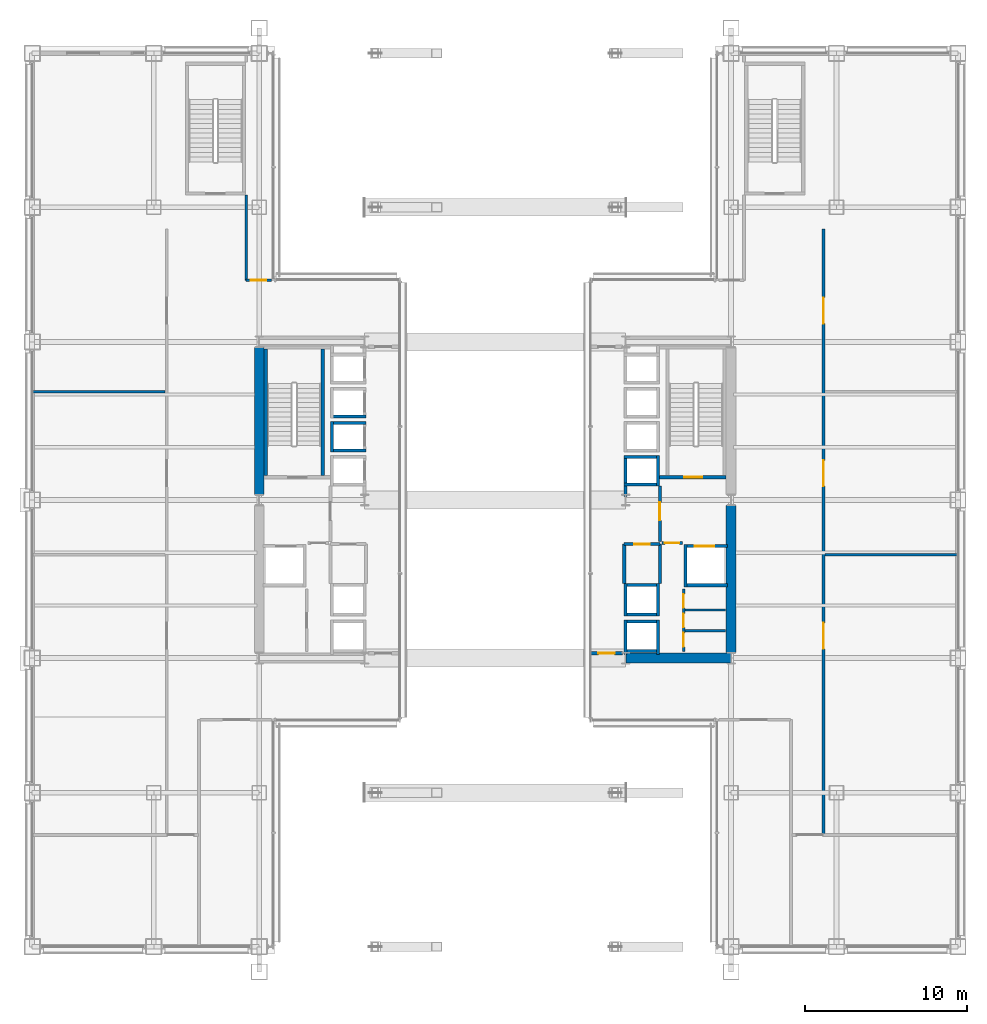
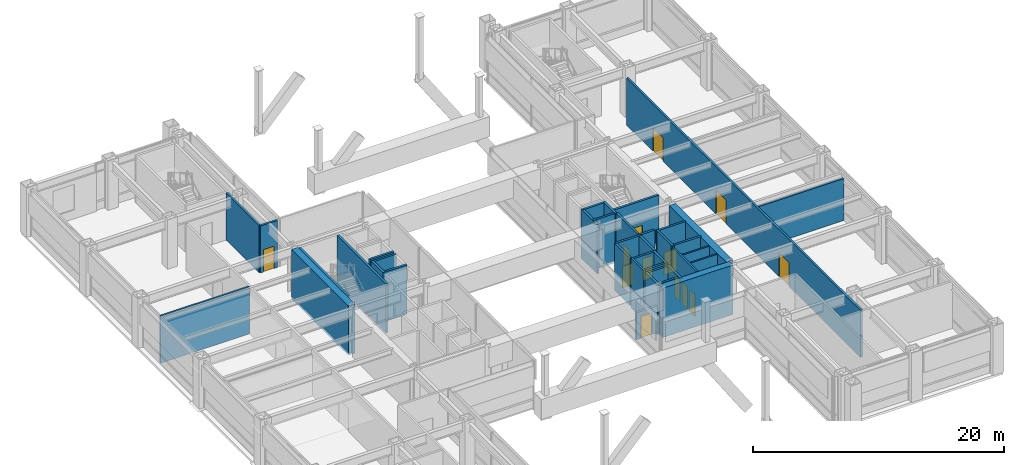
# One storey, part 38 of 42: 39 walls, 13 doors, 13 openings.
"""IFC4 building model written with IfcOpenShell, lengths in metres."""

from ifc_helpers import new_model, si_unit, direction, frame, frame_2d, origin, place, context, subcontext, project, spatial, rectangle, extrude, material, layer, layer_set, type_object, element, fill, save


model = new_model("IFC4")

# Units and contexts
model_context = context("Model", 3, precision=1e-05, world=origin(), true_north=direction((0.0, 1.0)))
body_context = subcontext(model_context, "Body", "Model", "MODEL_VIEW")
ifc_project = project(units=[si_unit("LENGTHUNIT", "METRE"), si_unit("AREAUNIT", "SQUARE_METRE"), si_unit("VOLUMEUNIT", "CUBIC_METRE"), si_unit("PLANEANGLEUNIT", "RADIAN"), si_unit("MASSUNIT", "GRAM", prefix="KILO")], contexts=[model_context])

# Site, building, storey
site_placement = place(None, origin())
site = spatial("IfcSite", under=ifc_project, at=site_placement, CompositionType="ELEMENT")
building_placement = place(site_placement, origin())
building = spatial("IfcBuilding", under=site, at=building_placement, Name="Brelmoor Portico Tower", CompositionType="ELEMENT")
storey_placement = place(building_placement, frame((0.0, 0.0, 9.60009765625)))
storey = spatial("IfcBuildingStorey", under=building, at=storey_placement, Name="L02", CompositionType="ELEMENT", Elevation=9.60009765625)

# Walls
ifc_material_1 = material(Name="Concrete C60", Category="concrete")
ifc_layer_1 = layer(ifc_material_1, 0.60009765625)
ifc_layer_set_1 = layer_set([ifc_layer_1], Name="Concrete C60")
wall_type_1 = type_object("IfcWallType", Name="WL-CORE-600", PredefinedType="SHEAR", material=ifc_layer_set_1)
wall_1_placement = place(storey_placement, frame((-14.550048828125, 0.35009765625, -0.22021484375), z_axis=(0.0, 0.0, 1.0), x_axis=(0.0, 1.0, 0.0)))
element("IfcWall", 1, at=wall_1_placement, inside=storey, type_object=wall_type_1, Name="L02 WC Outer North Shear Wall", PredefinedType="SHEAR", context=body_context, shape_type="SweptSolid", body=[
    extrude(rectangle(XDim=9.0498046875, YDim=0.60009765625, at=frame_2d((4.52490234375, 0.0))), origin(), (0.0, 0.0, 1.0), 4.800048828125),
])
wall_2_placement = place(storey_placement, frame((8.070068359375, -9.75, -0.22021484375), z_axis=(0.0, 0.0, 1.0), x_axis=(1.0, 0.0, 0.0)))
element("IfcWall", 2, at=wall_2_placement, inside=storey, type_object=wall_type_1, Name="L02 EC South Shear Wall", PredefinedType="SHEAR", context=body_context, shape_type="SweptSolid", body=[
    extrude(rectangle(XDim=6.4599609375, YDim=0.60009765625, at=frame_2d((3.22998046875, 0.0))), origin(), (0.0, 0.0, 1.0), 4.800048828125),
])
wall_3_placement = place(storey_placement, frame((14.550048828125, -9.39990234375, -0.22021484375), z_axis=(0.0, 0.0, 1.0), x_axis=(0.0, 1.0, 0.0)))
element("IfcWall", 3, at=wall_3_placement, inside=storey, type_object=wall_type_1, Name="L02 EC Outer South Shear Wall", PredefinedType="SHEAR", context=body_context, shape_type="SweptSolid", body=[
    extrude(rectangle(XDim=9.0498046875, YDim=0.60009765625, at=frame_2d((4.52490234375, 0.0))), origin(), (0.0, 0.0, 1.0), 4.800048828125),
])
ifc_material_2 = material(Name="Insulated Stud Suite Partition", Category="gypsum")
ifc_layer_2 = layer(ifc_material_2, 0.139892578125)
ifc_layer_set_2 = layer_set([ifc_layer_2], Name="Insulated Stud Suite Partition")
wall_type_2 = type_object("IfcWallType", Name="WL-PART-140", PredefinedType="PARTITIONING", material=ifc_layer_set_2)
for number, where, z_axis, x_axis, name in (
    (4, (11.699951171875, -8.066650390625, 0.0), (0.0, 0.0, 1.0), (1.0, 0.0, 0.0), "L02 E Core WC Divider 1"),
    (5, (11.699951171875, -6.783203125, 0.0), (0.0, 0.0, 1.0), (1.0, 0.0, 0.0), "L02 E Core WC Divider 2"),
):
    element("IfcWall", number, at=place(storey_placement, frame(where, z_axis=z_axis, x_axis=x_axis)), inside=storey, type_object=wall_type_2, Name=name, PredefinedType="PARTITIONING", context=body_context, shape_type="SweptSolid", body=[
        extrude(rectangle(XDim=2.5, YDim=0.139892578125, at=frame_2d((1.25, 0.0))), origin(), (0.0, 0.0, 1.0), 4.579833984375),
    ])

# Wall, openings, doors
ifc_material_3 = material(Name="Twin-Frame Acoustic Partition", Category="gypsum")
ifc_layer_3 = layer(ifc_material_3, 0.159912109375)
ifc_layer_set_3 = layer_set([ifc_layer_3], Name="Twin-Frame Acoustic Partition")
wall_type_3 = type_object("IfcWallType", Name="WL-PART-160", PredefinedType="PARTITIONING", material=ifc_layer_set_3)
wall_4_placement = place(storey_placement, frame((11.6201171875, -9.35009765625, 0.0), z_axis=(0.0, 0.0, 1.0), x_axis=(0.0, 1.0, 0.0)))
wall_4 = element("IfcWall", 6, at=wall_4_placement, inside=storey, type_object=wall_type_3, Name="L02 E Core Service Front Wall", PredefinedType="PARTITIONING", context=body_context, shape_type="SweptSolid", body=[
    extrude(rectangle(XDim=3.85009765625, YDim=0.159912109375, at=frame_2d((1.925048828125, 0.0))), origin(), (0.0, 0.0, 1.0), 4.579833984375),
])
opening_1_placement = place(wall_4_placement, frame((0.300048828125, 0.0, 0.0)))
opening_1 = element("IfcOpeningElement", 7, at=opening_1_placement, cuts=wall_4, Name="Opening D-WC1", PredefinedType="OPENING", context=body_context, shape_type="SweptSolid", body=[
    extrude(rectangle(XDim=0.85009765625, YDim=2.1201171875, at=frame_2d((0.425048828125, 1.06005859375))), frame((0.0, 0.08984375, 0.0), z_axis=(0.0, -1.0, 0.0), x_axis=(1.0, 0.0, 0.0)), (0.0, 0.0, 1.0), 0.179931640625),
])
opening_2_placement = place(wall_4_placement, frame((1.5, 0.0, 0.0)))
opening_2 = element("IfcOpeningElement", 8, at=opening_2_placement, cuts=wall_4, Name="Opening D-WC1", PredefinedType="OPENING", context=body_context, shape_type="SweptSolid", body=[
    extrude(rectangle(XDim=0.85009765625, YDim=2.1201171875, at=frame_2d((0.425048828125, 1.06005859375))), frame((0.0, 0.08984375, 0.0), z_axis=(0.0, -1.0, 0.0), x_axis=(1.0, 0.0, 0.0)), (0.0, 0.0, 1.0), 0.179931640625),
])
opening_3_placement = place(wall_4_placement, frame((2.699951171875, 0.0, 0.0)))
opening_3 = element("IfcOpeningElement", 9, at=opening_3_placement, cuts=wall_4, Name="Opening D-WC1", PredefinedType="OPENING", context=body_context, shape_type="SweptSolid", body=[
    extrude(rectangle(XDim=0.85009765625, YDim=2.1201171875, at=frame_2d((0.425048828125, 1.06005859375))), frame((0.0, 0.08984375, 0.0), z_axis=(0.0, -1.0, 0.0), x_axis=(1.0, 0.0, 0.0)), (0.0, 0.0, 1.0), 0.179931640625),
])
ifc_material_4 = material(Name="Moisture-Resistant Laminate WC Door", Category="timber")
door_type_1 = type_object("IfcDoorType", Name="DR-WC-850", OperationType="NOTDEFINED", PredefinedType="DOOR", material=ifc_material_4)
door_1_placement = place(opening_1_placement, origin())
door_1 = element("IfcDoor", 10, at=door_1_placement, inside=storey, type_object=door_type_1, Name="D-0130 L02 E Male WC Door", OperationType="SINGLE_SWING_RIGHT", OverallHeight=2.1201171875, OverallWidth=0.85009765625, PredefinedType="DOOR", context=body_context, shape_type="SweptSolid", body=[
    extrude(rectangle(XDim=0.85009765625, YDim=2.1201171875, at=frame_2d((0.425048828125, 1.06005859375))), frame((0.0, 0.02490234375, 0.0), z_axis=(0.0, -1.0, 0.0), x_axis=(1.0, 0.0, 0.0)), (0.0, 0.0, 1.0), 0.050048828125),
])
fill(opening_1, door_1)
door_2_placement = place(opening_2_placement, origin())
door_2 = element("IfcDoor", 11, at=door_2_placement, inside=storey, type_object=door_type_1, Name="D-0131 L02 E Female WC Door", OperationType="SINGLE_SWING_LEFT", OverallHeight=2.1201171875, OverallWidth=0.85009765625, PredefinedType="DOOR", context=body_context, shape_type="SweptSolid", body=[
    extrude(rectangle(XDim=0.85009765625, YDim=2.1201171875, at=frame_2d((0.425048828125, 1.06005859375))), frame((0.0, 0.02490234375, 0.0), z_axis=(0.0, -1.0, 0.0), x_axis=(1.0, 0.0, 0.0)), (0.0, 0.0, 1.0), 0.050048828125),
])
fill(opening_2, door_2)
door_3_placement = place(opening_3_placement, origin())
door_3 = element("IfcDoor", 12, at=door_3_placement, inside=storey, type_object=door_type_1, Name="D-0132 L02 E Janitor Store Door", OperationType="SINGLE_SWING_RIGHT", OverallHeight=2.1201171875, OverallWidth=0.85009765625, PredefinedType="DOOR", context=body_context, shape_type="SweptSolid", body=[
    extrude(rectangle(XDim=0.85009765625, YDim=2.1201171875, at=frame_2d((0.425048828125, 1.06005859375))), frame((0.0, 0.02490234375, 0.0), z_axis=(0.0, -1.0, 0.0), x_axis=(1.0, 0.0, 0.0)), (0.0, 0.0, 1.0), 0.050048828125),
])
fill(opening_3, door_3)

# Walls
wall_5_placement = place(storey_placement, frame((-20.35009765625, 6.666748046875, 0.0), z_axis=(0.0, 0.0, 1.0), x_axis=(-1.0, 0.0, 0.0)))
element("IfcWall", 13, at=wall_5_placement, inside=storey, type_object=wall_type_3, Name="L02 W Wing Divider 2", PredefinedType="PARTITIONING", context=body_context, shape_type="SweptSolid", body=[
    extrude(rectangle(XDim=8.169921875, YDim=0.159912109375, at=frame_2d((4.0849609375, 0.0))), origin(), (0.0, 0.0, 1.0), 4.579833984375),
])
wall_6_placement = place(storey_placement, frame((20.35009765625, -3.36669921875, 0.0), z_axis=(0.0, 0.0, 1.0), x_axis=(1.0, 0.0, 0.0)))
element("IfcWall", 14, at=wall_6_placement, inside=storey, type_object=wall_type_3, Name="L02 E Wing Divider 1", PredefinedType="PARTITIONING", context=body_context, shape_type="SweptSolid", body=[
    extrude(rectangle(XDim=8.169921875, YDim=0.159912109375, at=frame_2d((4.0849609375, 0.0))), origin(), (0.0, 0.0, 1.0), 4.079833984375),
])

# Wall, opening, door
ifc_material_5 = material(Name="Acoustic Corridor Fire Partition", Category="gypsum")
ifc_layer_4 = layer(ifc_material_5, 0.179931640625)
ifc_layer_set_4 = layer_set([ifc_layer_4], Name="Acoustic Corridor Fire Partition")
wall_type_4 = type_object("IfcWallType", Name="WL-PART-180", PredefinedType="PARTITIONING", material=ifc_layer_set_4)
wall_7_placement = place(storey_placement, frame((-13.800048828125, 13.550048828125, 0.0), z_axis=(0.0, 0.0, 1.0), x_axis=(-1.0, 0.0, 0.0)))
wall_7 = element("IfcWall", 15, at=wall_7_placement, inside=storey, type_object=wall_type_4, Name="L02 W North Reception Wall", PredefinedType="PARTITIONING", context=body_context, shape_type="SweptSolid", body=[
    extrude(rectangle(XDim=1.550048828125, YDim=0.179931640625, at=frame_2d((0.77490234375, 0.0))), origin(), (0.0, 0.0, 1.0), 4.579833984375),
])
opening_4_placement = place(wall_7_placement, frame((0.300048828125, 0.0, 0.0)))
opening_4 = element("IfcOpeningElement", 16, at=opening_4_placement, cuts=wall_7, Name="Opening D-IN2", PredefinedType="OPENING", context=body_context, shape_type="SweptSolid", body=[
    extrude(rectangle(XDim=0.9599609375, YDim=2.179931640625, at=frame_2d((0.47998046875, 1.08984375))), frame((0.0, 0.099853515625, 0.0), z_axis=(0.0, -1.0, 0.0), x_axis=(1.0, 0.0, 0.0)), (0.0, 0.0, 1.0), 0.199951171875),
])
ifc_material_6 = material(Name="Lacquered Timber Suite Door", Category="wood")
door_type_2 = type_object("IfcDoorType", Name="DR-INT-950", OperationType="NOTDEFINED", PredefinedType="DOOR", material=ifc_material_6)
door_4_placement = place(opening_4_placement, origin())
door_4 = element("IfcDoor", 17, at=door_4_placement, inside=storey, type_object=door_type_2, Name="D-0145 L02 W North Reception Foyer Door", OperationType="SINGLE_SWING_LEFT", OverallHeight=2.179931640625, OverallWidth=0.9599609375, PredefinedType="DOOR", context=body_context, shape_type="SweptSolid", body=[
    extrude(rectangle(XDim=0.9599609375, YDim=2.179931640625, at=frame_2d((0.47998046875, 1.08984375))), frame((0.0, 0.02490234375, 0.0), z_axis=(0.0, -1.0, 0.0), x_axis=(1.0, 0.0, 0.0)), (0.0, 0.0, 1.0), 0.050048828125),
])
fill(opening_4, door_4)

# Wall
wall_8_placement = place(storey_placement, frame((-15.35009765625, 13.550048828125, 0.0), z_axis=(0.0, 0.0, 1.0), x_axis=(0.0, 1.0, 0.0)))
element("IfcWall", 18, at=wall_8_placement, inside=storey, type_object=wall_type_4, Name="L02 W North Reception Outer Wall", PredefinedType="PARTITIONING", context=body_context, shape_type="SweptSolid", body=[
    extrude(rectangle(XDim=5.25, YDim=0.179931640625, at=frame_2d((2.625, 0.0))), origin(), (0.0, 0.0, 1.0), 4.579833984375),
])

# Wall, openings, doors
wall_9_placement = place(storey_placement, frame((20.25, -20.60009765625, 0.0), z_axis=(0.0, 0.0, 1.0), x_axis=(0.0, 1.0, 0.0)))
wall_9 = element("IfcWall", 19, at=wall_9_placement, inside=storey, type_object=wall_type_4, Name="L02 E Wing Concourse Wall", PredefinedType="PARTITIONING", context=body_context, shape_type="SweptSolid", body=[
    extrude(rectangle(XDim=37.300048828125, YDim=0.179931640625, at=frame_2d((18.64990234375, 0.0))), origin(), (0.0, 0.0, 1.0), 4.579833984375),
])
opening_5_placement = place(wall_9_placement, frame((11.416748046875, 0.0, 0.0)))
opening_5 = element("IfcOpeningElement", 20, at=opening_5_placement, cuts=wall_9, Name="Opening D-PB1", PredefinedType="OPENING", context=body_context, shape_type="SweptSolid", body=[
    extrude(rectangle(XDim=1.60009765625, YDim=2.300048828125, at=frame_2d((0.800048828125, 1.14990234375))), frame((0.0, 0.099853515625, 0.0), z_axis=(0.0, -1.0, 0.0), x_axis=(1.0, 0.0, 0.0)), (0.0, 0.0, 1.0), 0.199951171875),
])
opening_6_placement = place(wall_9_placement, frame((21.449951171875, 0.0, 0.0)))
opening_6 = element("IfcOpeningElement", 21, at=opening_6_placement, cuts=wall_9, Name="Opening D-PB1", PredefinedType="OPENING", context=body_context, shape_type="SweptSolid", body=[
    extrude(rectangle(XDim=1.60009765625, YDim=2.300048828125, at=frame_2d((0.800048828125, 1.14990234375))), frame((0.0, 0.099853515625, 0.0), z_axis=(0.0, -1.0, 0.0), x_axis=(1.0, 0.0, 0.0)), (0.0, 0.0, 1.0), 0.199951171875),
])
opening_7_placement = place(wall_9_placement, frame((31.4833984375, 0.0, 0.0)))
opening_7 = element("IfcOpeningElement", 22, at=opening_7_placement, cuts=wall_9, Name="Opening D-PB1", PredefinedType="OPENING", context=body_context, shape_type="SweptSolid", body=[
    extrude(rectangle(XDim=1.60009765625, YDim=2.300048828125, at=frame_2d((0.800048828125, 1.14990234375))), frame((0.0, 0.099853515625, 0.0), z_axis=(0.0, -1.0, 0.0), x_axis=(1.0, 0.0, 0.0)), (0.0, 0.0, 1.0), 0.199951171875),
])
ifc_material_7 = material(Name="Double-Leaf Anodised Aluminium Hall Door", Category="aluminium")
door_type_3 = type_object("IfcDoorType", Name="DR-PUBLIC-1600", OperationType="NOTDEFINED", PredefinedType="DOOR", material=ifc_material_7)
door_5_placement = place(opening_5_placement, origin())
door_5 = element("IfcDoor", 23, at=door_5_placement, inside=storey, type_object=door_type_3, Name="D-0150 L02 E Portico Design Studio Door", OperationType="DOUBLE_DOOR_SINGLE_SWING", OverallHeight=2.300048828125, OverallWidth=1.60009765625, PredefinedType="DOOR", context=body_context, shape_type="SweptSolid", body=[
    extrude(rectangle(XDim=1.60009765625, YDim=2.300048828125, at=frame_2d((0.800048828125, 1.14990234375))), frame((0.0, 0.02490234375, 0.0), z_axis=(0.0, -1.0, 0.0), x_axis=(1.0, 0.0, 0.0)), (0.0, 0.0, 1.0), 0.050048828125),
])
fill(opening_5, door_5)
door_6_placement = place(opening_6_placement, origin())
door_6 = element("IfcDoor", 24, at=door_6_placement, inside=storey, type_object=door_type_3, Name="D-0151 L02 E Artisan Cafe and Bakery Door", OperationType="DOUBLE_DOOR_SINGLE_SWING", OverallHeight=2.300048828125, OverallWidth=1.60009765625, PredefinedType="DOOR", context=body_context, shape_type="SweptSolid", body=[
    extrude(rectangle(XDim=1.60009765625, YDim=2.300048828125, at=frame_2d((0.800048828125, 1.14990234375))), frame((0.0, 0.02490234375, 0.0), z_axis=(0.0, -1.0, 0.0), x_axis=(1.0, 0.0, 0.0)), (0.0, 0.0, 1.0), 0.050048828125),
])
fill(opening_6, door_6)
door_7_placement = place(opening_7_placement, origin())
door_7 = element("IfcDoor", 25, at=door_7_placement, inside=storey, type_object=door_type_3, Name="D-0152 L02 E Architectural Archive Office Door", OperationType="DOUBLE_DOOR_SINGLE_SWING", OverallHeight=2.300048828125, OverallWidth=1.60009765625, PredefinedType="DOOR", context=body_context, shape_type="SweptSolid", body=[
    extrude(rectangle(XDim=1.60009765625, YDim=2.300048828125, at=frame_2d((0.800048828125, 1.14990234375))), frame((0.0, 0.02490234375, 0.0), z_axis=(0.0, -1.0, 0.0), x_axis=(1.0, 0.0, 0.0)), (0.0, 0.0, 1.0), 0.050048828125),
])
fill(opening_7, door_7)

# Wall, opening, door
ifc_material_8 = material(Name="Double-Stud Gypsum Fire Partition", Category="gypsum")
ifc_layer_5 = layer(ifc_material_8, 0.199951171875)
ifc_layer_set_5 = layer_set([ifc_layer_5], Name="Double-Stud Gypsum Fire Partition")
wall_type_5 = type_object("IfcWallType", Name="WL-PART-200", PredefinedType="PARTITIONING", material=ifc_layer_set_5)
wall_10_placement = place(storey_placement, frame((10.159912109375, -2.550048828125, 0.0), z_axis=(0.0, 0.0, 1.0), x_axis=(0.0, 1.0, 0.0)))
wall_10 = element("IfcWall", 26, at=wall_10_placement, inside=storey, type_object=wall_type_5, Name="L02 E Firefighting Lobby Wall", PredefinedType="PARTITIONING", context=body_context, shape_type="SweptSolid", body=[
    extrude(rectangle(XDim=3.400146484375, YDim=0.199951171875, at=frame_2d((1.7001953125, 0.0))), origin(), (0.0, 0.0, 1.0), 4.579833984375),
])
opening_8_placement = place(wall_10_placement, frame((1.300048828125, 0.0, 0.0)))
opening_8 = element("IfcOpeningElement", 27, at=opening_8_placement, cuts=wall_10, Name="Opening D-FR1", PredefinedType="OPENING", context=body_context, shape_type="SweptSolid", body=[
    extrude(rectangle(XDim=1.10009765625, YDim=2.14990234375, at=frame_2d((0.550048828125, 1.074951171875))), frame((0.0, 0.10986328125, 0.0), z_axis=(0.0, -1.0, 0.0), x_axis=(1.0, 0.0, 0.0)), (0.0, 0.0, 1.0), 0.219970703125),
])
ifc_material_9 = material(Name="Painted Galvanised Steel Fire Door", Category="steel")
door_type_4 = type_object("IfcDoorType", Name="DR-FIRE-1100", OperationType="NOTDEFINED", PredefinedType="DOOR", material=ifc_material_9)
door_8_placement = place(opening_8_placement, origin())
door_8 = element("IfcDoor", 28, at=door_8_placement, inside=storey, type_object=door_type_4, Name="D-0138 L02 E Firefighting Lobby Door", OperationType="SINGLE_SWING_LEFT", OverallHeight=2.14990234375, OverallWidth=1.10009765625, PredefinedType="DOOR", context=body_context, shape_type="SweptSolid", body=[
    extrude(rectangle(XDim=1.10009765625, YDim=2.14990234375, at=frame_2d((0.550048828125, 1.074951171875))), frame((0.0, 0.02490234375, 0.0), z_axis=(0.0, -1.0, 0.0), x_axis=(1.0, 0.0, 0.0)), (0.0, 0.0, 1.0), 0.050048828125),
])
fill(opening_8, door_8)

wall_11_placement = place(storey_placement, frame((10.280029296875, -2.64990234375, 0.0), z_axis=(0.0, 0.0, 1.0), x_axis=(1.0, 0.0, 0.0)))
wall_11 = element("IfcWall", 29, at=wall_11_placement, inside=storey, type_object=wall_type_5, Name="L02 E Firefighting Lobby South Wall", PredefinedType="PARTITIONING", context=body_context, shape_type="SweptSolid", body=[
    extrude(rectangle(XDim=1.27001953125, YDim=0.199951171875, at=frame_2d((0.635009765625, 0.0))), origin(), (0.0, 0.0, 1.0), 4.579833984375),
])
opening_9_placement = place(wall_11_placement, frame((0.18505859375, 0.0, 0.0)))
opening_9 = element("IfcOpeningElement", 30, at=opening_9_placement, cuts=wall_11, Name="Opening D-IN1", PredefinedType="OPENING", context=body_context, shape_type="SweptSolid", body=[
    extrude(rectangle(XDim=0.89990234375, YDim=2.14990234375, at=frame_2d((0.449951171875, 1.074951171875))), frame((0.0, 0.10986328125, 0.0), z_axis=(0.0, -1.0, 0.0), x_axis=(1.0, 0.0, 0.0)), (0.0, 0.0, 1.0), 0.219970703125),
])
door_type_5 = type_object("IfcDoorType", Name="DR-INT-900", OperationType="NOTDEFINED", PredefinedType="DOOR", material=ifc_material_6)
door_9_placement = place(opening_9_placement, origin())
door_9 = element("IfcDoor", 31, at=door_9_placement, inside=storey, type_object=door_type_5, Name="D-0133 L02 E Core Service Vestibule Door", OperationType="SINGLE_SWING_RIGHT", OverallHeight=2.14990234375, OverallWidth=0.89990234375, PredefinedType="DOOR", context=body_context, shape_type="SweptSolid", body=[
    extrude(rectangle(XDim=0.89990234375, YDim=2.14990234375, at=frame_2d((0.449951171875, 1.074951171875))), frame((0.0, 0.02490234375, 0.0), z_axis=(0.0, -1.0, 0.0), x_axis=(1.0, 0.0, 0.0)), (0.0, 0.0, 1.0), 0.050048828125),
])
fill(opening_9, door_9)

wall_12_placement = place(storey_placement, frame((7.9599609375, -2.719970703125, 0.0), z_axis=(0.0, 0.0, 1.0), x_axis=(1.0, 0.0, 0.0)))
wall_12 = element("IfcWall", 32, at=wall_12_placement, inside=storey, type_object=wall_type_5, Name="L02 E Electrical Switchgear Closet Wall", PredefinedType="PARTITIONING", context=body_context, shape_type="SweptSolid", body=[
    extrude(rectangle(XDim=2.199951171875, YDim=0.199951171875, at=frame_2d((1.10009765625, 0.0))), origin(), (0.0, 0.0, 1.0), 4.579833984375),
])
opening_10_placement = place(wall_12_placement, frame((0.6201171875, 0.0, 0.0)))
opening_10 = element("IfcOpeningElement", 33, at=opening_10_placement, cuts=wall_12, Name="Opening D-FR4", PredefinedType="OPENING", context=body_context, shape_type="SweptSolid", body=[
    extrude(rectangle(XDim=0.949951171875, YDim=2.10009765625, at=frame_2d((0.47509765625, 1.050048828125))), frame((0.0, 0.10986328125, 0.0), z_axis=(0.0, -1.0, 0.0), x_axis=(1.0, 0.0, 0.0)), (0.0, 0.0, 1.0), 0.219970703125),
])
ifc_material_10 = material(Name="Painted Galvanised Steel Riser Door", Category="steel")
door_type_6 = type_object("IfcDoorType", Name="DR-FIRE-950", OperationType="NOTDEFINED", PredefinedType="DOOR", material=ifc_material_10)
door_10_placement = place(opening_10_placement, origin())
door_10 = element("IfcDoor", 34, at=door_10_placement, inside=storey, type_object=door_type_6, Name="D-0136 L02 E Electrical Switchgear Closet Door", OperationType="SINGLE_SWING_LEFT", OverallHeight=2.10009765625, OverallWidth=0.949951171875, PredefinedType="DOOR", context=body_context, shape_type="SweptSolid", body=[
    extrude(rectangle(XDim=0.949951171875, YDim=2.10009765625, at=frame_2d((0.47509765625, 1.050048828125))), frame((0.0, 0.02490234375, 0.0), z_axis=(0.0, -1.0, 0.0), x_axis=(1.0, 0.0, 0.0)), (0.0, 0.0, 1.0), 0.050048828125),
])
fill(opening_10, door_10)

# Walls
for number, where, z_axis, x_axis, name in (
    (35, (7.9599609375, -5.159912109375, 0.0), (0.0, 0.0, 1.0), (0.0, 1.0, 0.0), "L02 E Electrical Switchgear Closet Inner Wall"),
    (36, (10.159912109375, -5.159912109375, 0.0), (0.0, 0.0, 1.0), (0.0, 1.0, 0.0), "L02 E Electrical Switchgear Closet Outer Wall"),
):
    element("IfcWall", number, at=place(storey_placement, frame(where, z_axis=z_axis, x_axis=x_axis)), inside=storey, type_object=wall_type_5, Name=name, PredefinedType="PARTITIONING", context=body_context, shape_type="SweptSolid", body=[
        extrude(rectangle(XDim=2.43994140625, YDim=0.199951171875, at=frame_2d((1.219970703125, 0.0))), origin(), (0.0, 0.0, 1.0), 4.579833984375),
    ])

# Wall, opening, door
wall_13_placement = place(storey_placement, frame((5.919921875, -9.449951171875, 0.0), z_axis=(0.0, 0.0, 1.0), x_axis=(1.0, 0.0, 0.0)))
wall_13 = element("IfcWall", 37, at=wall_13_placement, inside=storey, type_object=wall_type_5, Name="L02 E Pier Lift Lobby South Wall", PredefinedType="PARTITIONING", context=body_context, shape_type="SweptSolid", body=[
    extrude(rectangle(XDim=1.93017578125, YDim=0.199951171875, at=frame_2d((0.965087890625, 0.0))), origin(), (0.0, 0.0, 1.0), 2.6298828125),
])
opening_11_placement = place(wall_13_placement, frame((0.449951171875, 0.0, 0.0)))
opening_11 = element("IfcOpeningElement", 38, at=opening_11_placement, cuts=wall_13, Name="Opening D-FR2", PredefinedType="OPENING", context=body_context, shape_type="SweptSolid", body=[
    extrude(rectangle(XDim=1.0, YDim=2.14990234375, at=frame_2d((0.5, 1.074951171875))), frame((0.0, 0.10986328125, 0.0), z_axis=(0.0, -1.0, 0.0), x_axis=(1.0, 0.0, 0.0)), (0.0, 0.0, 1.0), 0.219970703125),
])
door_type_7 = type_object("IfcDoorType", Name="DR-FIRE-1000", OperationType="NOTDEFINED", PredefinedType="DOOR", material=ifc_material_9)
door_11_placement = place(opening_11_placement, origin())
door_11 = element("IfcDoor", 39, at=door_11_placement, inside=storey, type_object=door_type_7, Name="D-0142 L02 E Pier Lift Lobby South Door", OperationType="SINGLE_SWING_LEFT", OverallHeight=2.14990234375, OverallWidth=1.0, PredefinedType="DOOR", context=body_context, shape_type="SweptSolid", body=[
    extrude(rectangle(XDim=1.0, YDim=2.14990234375, at=frame_2d((0.5, 1.074951171875))), frame((0.0, 0.02490234375, 0.0), z_axis=(0.0, -1.0, 0.0), x_axis=(1.0, 0.0, 0.0)), (0.0, 0.0, 1.0), 0.050048828125),
])
fill(opening_11, door_11)

# Walls
ifc_material_11 = material(Name="Precast Concrete C40", Category="concrete")
ifc_layer_6 = layer(ifc_material_11, 0.18994140625)
ifc_layer_set_6 = layer_set([ifc_layer_6], Name="Precast Concrete C40")
wall_type_6 = type_object("IfcWallType", Name="WL-SHAFT-180", PredefinedType="SOLIDWALL", material=ifc_layer_set_6)
wall_14_placement = place(storey_placement, frame((-10.054931640625, 2.949951171875, -0.22021484375), z_axis=(0.0, 0.0, 1.0), x_axis=(0.0, 1.0, 0.0)))
element("IfcWall", 40, at=wall_14_placement, inside=storey, type_object=wall_type_6, Name="L02 Lift PL2 Hoistway Back Wall", PredefinedType="SOLIDWALL", context=body_context, shape_type="SweptSolid", body=[
    extrude(rectangle(XDim=1.900146484375, YDim=0.18994140625, at=frame_2d((0.9501953125, 0.0))), origin(), (0.0, 0.0, 1.0), 4.800048828125),
])
for number, where, z_axis, x_axis, name in (
    (41, (-10.14990234375, 4.7548828125, -0.22021484375), (0.0, 0.0, 1.0), (1.0, 0.0, 0.0), "L02 Lift PL2 Hoistway North Wall"),
    (42, (-10.14990234375, 3.044921875, -0.22021484375), (0.0, 0.0, 1.0), (1.0, 0.0, 0.0), "L02 Lift PL2 Hoistway South Wall"),
    (43, (-10.14990234375, 5.14501953125, -0.22021484375), (0.0, 0.0, 1.0), (1.0, 0.0, 0.0), "L02 Lift PL3 Hoistway South Wall"),
):
    element("IfcWall", number, at=place(storey_placement, frame(where, z_axis=z_axis, x_axis=x_axis)), inside=storey, type_object=wall_type_6, Name=name, PredefinedType="SOLIDWALL", context=body_context, shape_type="SweptSolid", body=[
        extrude(rectangle(XDim=2.199951171875, YDim=0.18994140625, at=frame_2d((1.10009765625, 0.0))), origin(), (0.0, 0.0, 1.0), 4.800048828125),
    ])
wall_15_placement = place(storey_placement, frame((8.044921875, 0.2099609375, -0.22021484375), z_axis=(0.0, 0.0, 1.0), x_axis=(0.0, 1.0, 0.0)))
element("IfcWall", 44, at=wall_15_placement, inside=storey, type_object=wall_type_6, Name="L02 Lift PM1 Hoistway Front Wall", PredefinedType="SOLIDWALL", context=body_context, shape_type="SweptSolid", body=[
    extrude(rectangle(XDim=2.5400390625, YDim=0.18994140625, at=frame_2d((1.27001953125, 0.0))), origin(), (0.0, 0.0, 1.0), 4.800048828125),
])
wall_16_placement = place(storey_placement, frame((10.054931640625, 0.85009765625, -0.22021484375), z_axis=(0.0, 0.0, 1.0), x_axis=(0.0, 1.0, 0.0)))
element("IfcWall", 45, at=wall_16_placement, inside=storey, type_object=wall_type_6, Name="L02 Lift PM1 Hoistway Back Wall", PredefinedType="SOLIDWALL", context=body_context, shape_type="SweptSolid", body=[
    extrude(rectangle(XDim=1.89990234375, YDim=0.18994140625, at=frame_2d((0.949951171875, 0.0))), origin(), (0.0, 0.0, 1.0), 4.800048828125),
])
for number, where, z_axis, x_axis, name in (
    (46, (7.949951171875, 2.655029296875, -0.22021484375), (0.0, 0.0, 1.0), (1.0, 0.0, 0.0), "L02 Lift PM1 Hoistway North Wall"),
    (47, (7.949951171875, 0.945068359375, -0.22021484375), (0.0, 0.0, 1.0), (1.0, 0.0, 0.0), "L02 Lift PM1 Hoistway South Wall"),
):
    element("IfcWall", number, at=place(storey_placement, frame(where, z_axis=z_axis, x_axis=x_axis)), inside=storey, type_object=wall_type_6, Name=name, PredefinedType="SOLIDWALL", context=body_context, shape_type="SweptSolid", body=[
        extrude(rectangle(XDim=2.199951171875, YDim=0.18994140625, at=frame_2d((1.10009765625, 0.0))), origin(), (0.0, 0.0, 1.0), 4.800048828125),
    ])
for number, where, z_axis, x_axis, name in (
    (48, (8.044921875, -9.52001953125, -0.22021484375), (0.0, 0.0, 1.0), (0.0, 1.0, 0.0), "L02 Lift PH3 Hoistway Front Wall"),
    (49, (10.054931640625, -9.52001953125, -0.22021484375), (0.0, 0.0, 1.0), (0.0, 1.0, 0.0), "L02 Lift PH3 Hoistway Back Wall"),
):
    element("IfcWall", number, at=place(storey_placement, frame(where, z_axis=z_axis, x_axis=x_axis)), inside=storey, type_object=wall_type_6, Name=name, PredefinedType="SOLIDWALL", context=body_context, shape_type="SweptSolid", body=[
        extrude(rectangle(XDim=2.1201171875, YDim=0.18994140625, at=frame_2d((1.06005859375, 0.0))), origin(), (0.0, 0.0, 1.0), 4.800048828125),
    ])
for number, where, z_axis, x_axis, name in (
    (50, (7.949951171875, -7.4951171875, -0.22021484375), (0.0, 0.0, 1.0), (1.0, 0.0, 0.0), "L02 Lift PH3 Hoistway North Wall"),
    (51, (7.949951171875, -9.304931640625, -0.22021484375), (0.0, 0.0, 1.0), (1.0, 0.0, 0.0), "L02 Lift PH3 Hoistway South Wall"),
):
    element("IfcWall", number, at=place(storey_placement, frame(where, z_axis=z_axis, x_axis=x_axis)), inside=storey, type_object=wall_type_6, Name=name, PredefinedType="SOLIDWALL", context=body_context, shape_type="SweptSolid", body=[
        extrude(rectangle(XDim=2.199951171875, YDim=0.18994140625, at=frame_2d((1.10009765625, 0.0))), origin(), (0.0, 0.0, 1.0), 4.800048828125),
    ])
for number, where, z_axis, x_axis, name in (
    (52, (8.044921875, -7.14990234375, -0.22021484375), (0.0, 0.0, 1.0), (0.0, 1.0, 0.0), "L02 Lift PH4 Hoistway Front Wall"),
    (53, (10.054931640625, -7.14990234375, -0.22021484375), (0.0, 0.0, 1.0), (0.0, 1.0, 0.0), "L02 Lift PH4 Hoistway Back Wall"),
):
    element("IfcWall", number, at=place(storey_placement, frame(where, z_axis=z_axis, x_axis=x_axis)), inside=storey, type_object=wall_type_6, Name=name, PredefinedType="SOLIDWALL", context=body_context, shape_type="SweptSolid", body=[
        extrude(rectangle(XDim=2.0, YDim=0.18994140625, at=frame_2d((1.0, 0.0))), origin(), (0.0, 0.0, 1.0), 4.800048828125),
    ])
for number, where, z_axis, x_axis, name in (
    (54, (7.949951171875, -5.2451171875, -0.22021484375), (0.0, 0.0, 1.0), (1.0, 0.0, 0.0), "L02 Lift PH4 Hoistway North Wall"),
    (55, (7.949951171875, -7.054931640625, -0.22021484375), (0.0, 0.0, 1.0), (1.0, 0.0, 0.0), "L02 Lift PH4 Hoistway South Wall"),
):
    element("IfcWall", number, at=place(storey_placement, frame(where, z_axis=z_axis, x_axis=x_axis)), inside=storey, type_object=wall_type_6, Name=name, PredefinedType="SOLIDWALL", context=body_context, shape_type="SweptSolid", body=[
        extrude(rectangle(XDim=2.199951171875, YDim=0.18994140625, at=frame_2d((1.10009765625, 0.0))), origin(), (0.0, 0.0, 1.0), 4.800048828125),
    ])

# Wall, opening, door
wall_17_placement = place(storey_placement, frame((11.64990234375, -2.844970703125, -0.22021484375), z_axis=(0.0, 0.0, 1.0), x_axis=(1.0, 0.0, 0.0)))
wall_17 = element("IfcWall", 56, at=wall_17_placement, inside=storey, type_object=wall_type_6, Name="L02 Lift FF2 Hoistway Front Wall", PredefinedType="SOLIDWALL", context=body_context, shape_type="SweptSolid", body=[
    extrude(rectangle(XDim=2.68017578125, YDim=0.18994140625, at=frame_2d((1.340087890625, 0.0))), origin(), (0.0, 0.0, 1.0), 4.800048828125),
])
opening_12_placement = place(wall_17_placement, frame((0.64990234375, 0.0, 0.219970703125)))
opening_12 = element("IfcOpeningElement", 57, at=opening_12_placement, cuts=wall_17, Name="Opening LD-02", PredefinedType="OPENING", context=body_context, shape_type="SweptSolid", body=[
    extrude(rectangle(XDim=1.199951171875, YDim=2.199951171875, at=frame_2d((0.60009765625, 1.10009765625))), frame((0.0, 0.10498046875, 0.0), z_axis=(0.0, -1.0, 0.0), x_axis=(1.0, 0.0, 0.0)), (0.0, 0.0, 1.0), 0.2099609375),
])
ifc_material_12 = material(Name="Brushed Stainless Steel Firefighting Lift Door", Category="steel")
door_type_8 = type_object("IfcDoorType", Name="DR-LIFT-1200", OperationType="NOTDEFINED", PredefinedType="DOOR", material=ifc_material_12)
door_12_placement = place(opening_12_placement, origin())
door_12 = element("IfcDoor", 58, at=door_12_placement, inside=storey, type_object=door_type_8, Name="D-0161 L02 Lift FF2 Sliding Landing Door", OperationType="SLIDING_TO_LEFT", OverallHeight=2.199951171875, OverallWidth=1.199951171875, PredefinedType="DOOR", context=body_context, shape_type="SweptSolid", body=[
    extrude(rectangle(XDim=1.199951171875, YDim=2.199951171875, at=frame_2d((0.60009765625, 1.10009765625))), frame((0.0, 0.02490234375, 0.0), z_axis=(0.0, -1.0, 0.0), x_axis=(1.0, 0.0, 0.0)), (0.0, 0.0, 1.0), 0.050048828125),
])
fill(opening_12, door_12)

# Walls
wall_18_placement = place(storey_placement, frame((11.64990234375, -5.2548828125, -0.22021484375), z_axis=(0.0, 0.0, 1.0), x_axis=(1.0, 0.0, 0.0)))
element("IfcWall", 59, at=wall_18_placement, inside=storey, type_object=wall_type_6, Name="L02 Firefighting Lift FF2 South Wall", PredefinedType="SOLIDWALL", context=body_context, shape_type="SweptSolid", body=[
    extrude(rectangle(XDim=2.68017578125, YDim=0.18994140625, at=frame_2d((1.340087890625, 0.0))), origin(), (0.0, 0.0, 1.0), 4.800048828125),
])
wall_19_placement = place(storey_placement, frame((11.7451171875, -5.35009765625, -0.22021484375), z_axis=(0.0, 0.0, 1.0), x_axis=(0.0, 1.0, 0.0)))
element("IfcWall", 60, at=wall_19_placement, inside=storey, type_object=wall_type_6, Name="L02 Firefighting Lift FF2 Inner Wall", PredefinedType="SOLIDWALL", context=body_context, shape_type="SweptSolid", body=[
    extrude(rectangle(XDim=2.60009765625, YDim=0.18994140625, at=frame_2d((1.300048828125, 0.0))), origin(), (0.0, 0.0, 1.0), 4.800048828125),
])
ifc_material_13 = material(Name="Concrete C40", Category="concrete")
ifc_layer_7 = layer(ifc_material_13, 0.199951171875)
ifc_layer_set_7 = layer_set([ifc_layer_7], Name="Concrete C40")
wall_type_7 = type_object("IfcWallType", Name="WL-SHAFT-RC200", PredefinedType="SOLIDWALL", material=ifc_layer_set_7)
for number, where, z_axis, x_axis, name in (
    (61, (-14.14990234375, 1.5, -0.22021484375), (0.0, 0.0, 1.0), (0.0, 1.0, 0.0), "L02 ST-W Structural Stair Wall Outer"),
    (62, (-10.6298828125, 1.5, -0.22021484375), (0.0, 0.0, 1.0), (0.0, 1.0, 0.0), "L02 ST-W Structural Stair Wall Inner"),
):
    element("IfcWall", number, at=place(storey_placement, frame(where, z_axis=z_axis, x_axis=x_axis)), inside=storey, type_object=wall_type_7, Name=name, PredefinedType="SOLIDWALL", context=body_context, shape_type="SweptSolid", body=[
        extrude(rectangle(XDim=7.800048828125, YDim=0.199951171875, at=frame_2d((3.89990234375, 0.0))), origin(), (0.0, 0.0, 1.0), 4.800048828125),
    ])

# Wall, opening, door
wall_20_placement = place(storey_placement, frame((10.14990234375, 1.39990234375, -0.22021484375), z_axis=(0.0, 0.0, 1.0), x_axis=(1.0, 0.0, 0.0)))
wall_20 = element("IfcWall", 63, at=wall_20_placement, inside=storey, type_object=wall_type_7, Name="L02 ST-E Structural Stair Wall S", PredefinedType="SOLIDWALL", context=body_context, shape_type="SweptSolid", body=[
    extrude(rectangle(XDim=4.10009765625, YDim=0.199951171875, at=frame_2d((2.050048828125, 0.0))), origin(), (0.0, 0.0, 1.0), 4.800048828125),
])
opening_13_placement = place(wall_20_placement, frame((1.5, 0.0, 0.219970703125)))
opening_13 = element("IfcOpeningElement", 64, at=opening_13_placement, cuts=wall_20, Name="Opening D-ST1", PredefinedType="OPENING", context=body_context, shape_type="SweptSolid", body=[
    extrude(rectangle(XDim=1.1201171875, YDim=2.179931640625, at=frame_2d((0.56005859375, 1.08984375))), frame((0.0, 0.10986328125, 0.0), z_axis=(0.0, -1.0, 0.0), x_axis=(1.0, 0.0, 0.0)), (0.0, 0.0, 1.0), 0.219970703125),
])
door_type_9 = type_object("IfcDoorType", Name="DR-STAIR-1100", OperationType="NOTDEFINED", PredefinedType="DOOR", material=ifc_material_9)
door_13_placement = place(opening_13_placement, origin())
door_13 = element("IfcDoor", 65, at=door_13_placement, inside=storey, type_object=door_type_9, Name="D-0156 L02 ST-E Protected Exit Stair Door", OperationType="SINGLE_SWING_RIGHT", OverallHeight=2.179931640625, OverallWidth=1.1201171875, PredefinedType="DOOR", context=body_context, shape_type="SweptSolid", body=[
    extrude(rectangle(XDim=1.1201171875, YDim=2.179931640625, at=frame_2d((0.56005859375, 1.08984375))), frame((0.0, 0.02490234375, 0.0), z_axis=(0.0, -1.0, 0.0), x_axis=(1.0, 0.0, 0.0)), (0.0, 0.0, 1.0), 0.050048828125),
])
fill(opening_13, door_13)

save(model, "model.ifc")
